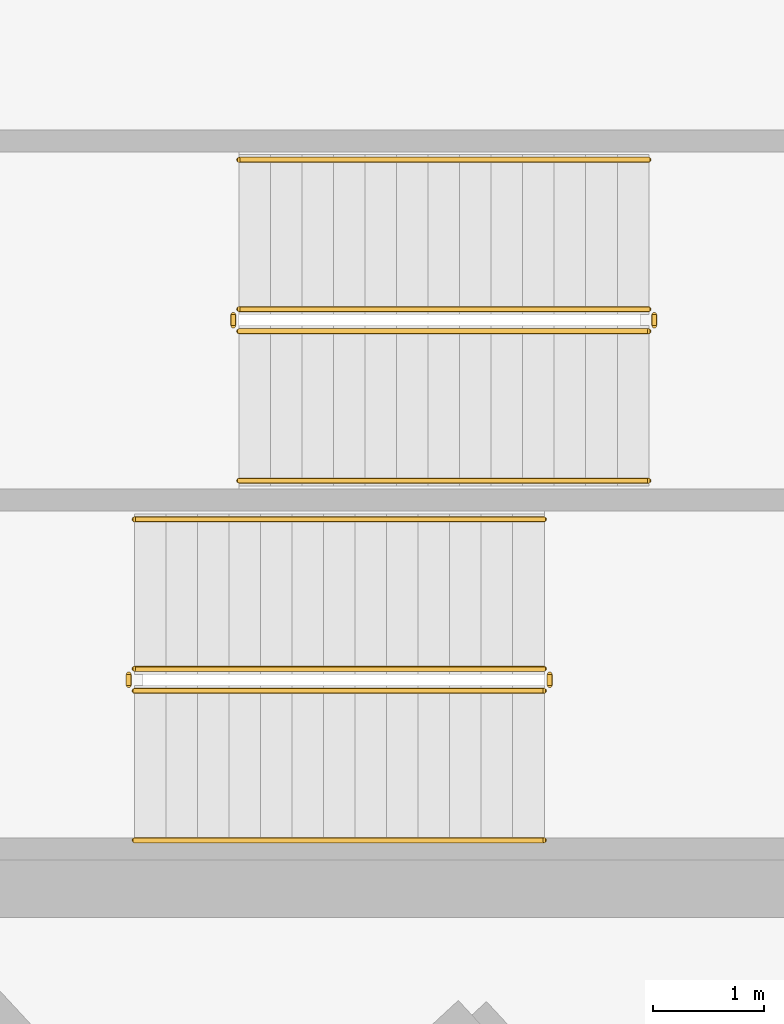
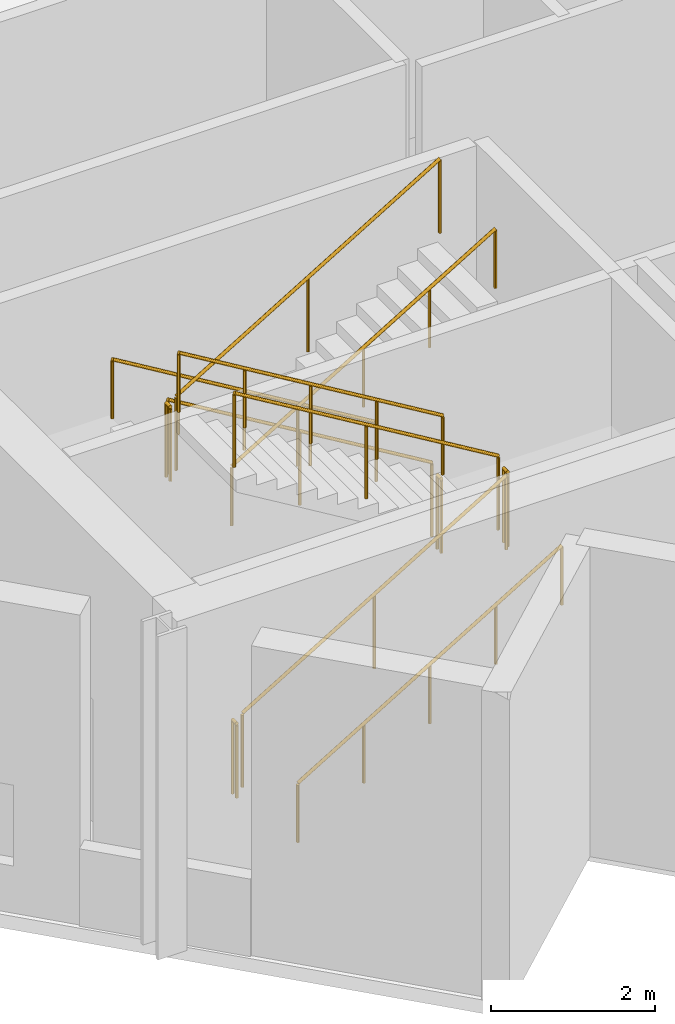
# One storey, part 11 of 12: 12 railings.
"""IFC4 building model written with IfcOpenShell, lengths in metres."""

from ifc_helpers import new_model, si_unit, direction, frame, origin, origin_2d, place, context, subcontext, project, spatial, circle, extrude, material, type_object, element, save


model = new_model("IFC4")

# Units and contexts
model_context = context("Model", 3, precision=1e-05, world=origin(), true_north=direction((0.0, 1.0)))
body_context = subcontext(model_context, "Body", "Model", "MODEL_VIEW")
ifc_project = project(units=[si_unit("LENGTHUNIT", "METRE"), si_unit("AREAUNIT", "SQUARE_METRE"), si_unit("VOLUMEUNIT", "CUBIC_METRE"), si_unit("PLANEANGLEUNIT", "RADIAN"), si_unit("MASSUNIT", "GRAM", prefix="KILO")], contexts=[model_context])

# Site, building, storey
site_placement = place(None, origin())
site = spatial("IfcSite", under=ifc_project, at=site_placement, CompositionType="ELEMENT")
building_placement = place(site_placement, origin())
building = spatial("IfcBuilding", under=site, at=building_placement, Name="Narakoshi Arena Tower", CompositionType="ELEMENT")
storey_placement = place(building_placement, frame((0.0, 0.0, 307.780029296875)))
storey = spatial("IfcBuildingStorey", under=building, at=storey_placement, Name="L83", CompositionType="ELEMENT", Elevation=307.780029296875)

# Railings
ifc_material_1 = material(Name="Clear low-iron laminated structural glass", Category="glass")
railing_type_1 = type_object("IfcRailingType", Name="RL-BAL-1100", PredefinedType="BALUSTRADE", material=ifc_material_1)
railing_1_placement = place(storey_placement, frame((74.39990234375, 36.949951171875, 0.17138671875)))
element("IfcRailing", 1, at=railing_1_placement, inside=storey, type_object=railing_type_1, Name="L83 ST1 stair guard 1", PredefinedType="BALUSTRADE", context=body_context, shape_type="SweptSolid", body=[
    extrude(circle(Radius=0.02392578125, at=origin_2d()), frame((0.0, 0.0, 1.09619140625), z_axis=(0.856934400257, 0.0, 0.515425487977), x_axis=(0.0, 1.0, 0.0)), (0.0, 0.0, 1.0), 4.32373046875),
    extrude(circle(Radius=0.02099609375, at=origin_2d()), origin(), (0.0, 0.0, 1.0), 1.072021484375),
    extrude(circle(Radius=0.02099609375, at=origin_2d()), frame((1.8525390625, 0.0, 1.1142578125)), (0.0, 0.0, 1.0), 1.072021484375),
    extrude(circle(Radius=0.02099609375, at=origin_2d()), frame((3.705078125, 0.0, 2.228515625)), (0.0, 0.0, 1.0), 1.072021484375),
])
railing_2_placement = place(storey_placement, frame((78.155029296875, 37.0, 2.39990234375)))
element("IfcRailing", 2, at=railing_2_placement, inside=storey, type_object=railing_type_1, Name="L83 ST1 stair guard 2", PredefinedType="BALUSTRADE", context=body_context, shape_type="SweptSolid", body=[
    extrude(circle(Radius=0.02392578125, at=origin_2d()), frame((0.0, 0.0, 1.09619140625), z_axis=(0.0, 1.0, 0.0), x_axis=(-1.0, 0.0, 0.0)), (0.0, 0.0, 1.0), 0.10009765625),
    extrude(circle(Radius=0.02099609375, at=origin_2d()), origin(), (0.0, 0.0, 1.0), 1.072021484375),
    extrude(circle(Radius=0.02099609375, at=origin_2d()), frame((0.0, 0.10009765625, 0.0)), (0.0, 0.0, 1.0), 1.072021484375),
])
railing_3_placement = place(storey_placement, frame((78.10498046875, 37.14990234375, 2.5712890625)))
element("IfcRailing", 3, at=railing_3_placement, inside=storey, type_object=railing_type_1, Name="L83 ST1 stair guard 3", PredefinedType="BALUSTRADE", context=body_context, shape_type="SweptSolid", body=[
    extrude(circle(Radius=0.02392578125, at=origin_2d()), frame((0.0, 0.0, 1.09619140625), z_axis=(-0.856909459561, 0.0, 0.515466951525), x_axis=(0.0, -1.0, 0.0)), (0.0, 0.0, 1.0), 4.32373046875),
    extrude(circle(Radius=0.02099609375, at=origin_2d()), origin(), (0.0, 0.0, 1.0), 1.072021484375),
    extrude(circle(Radius=0.02099609375, at=origin_2d()), frame((-1.8525390625, 0.0, 1.1142578125)), (0.0, 0.0, 1.0), 1.072021484375),
    extrude(circle(Radius=0.02099609375, at=origin_2d()), frame((-3.705078125, 0.0, 2.228759765625)), (0.0, 0.0, 1.0), 1.072021484375),
])
railing_4_placement = place(storey_placement, frame((74.35009765625, 37.0, 0.0)))
element("IfcRailing", 4, at=railing_4_placement, inside=storey, type_object=railing_type_1, Name="L83 ST1 stair guard 4", PredefinedType="BALUSTRADE", context=body_context, shape_type="SweptSolid", body=[
    extrude(circle(Radius=0.02392578125, at=origin_2d()), frame((0.0, 0.0, 1.09619140625), z_axis=(0.0, 1.0, 0.0), x_axis=(-1.0, 0.0, 0.0)), (0.0, 0.0, 1.0), 0.10009765625),
    extrude(circle(Radius=0.02099609375, at=origin_2d()), origin(), (0.0, 0.0, 1.0), 1.072021484375),
    extrude(circle(Radius=0.02099609375, at=origin_2d()), frame((0.0, 0.10009765625, 0.0)), (0.0, 0.0, 1.0), 1.072021484375),
])
railing_5_placement = place(storey_placement, frame((79.050048828125, 40.39990234375, 0.17138671875)))
element("IfcRailing", 5, at=railing_5_placement, inside=storey, type_object=railing_type_1, Name="L83 ST2 stair guard 1", PredefinedType="BALUSTRADE", context=body_context, shape_type="SweptSolid", body=[
    extrude(circle(Radius=0.02392578125, at=origin_2d()), frame((0.0, 0.0, 1.09619140625), z_axis=(-0.856934400257, 0.0, 0.515425487977), x_axis=(0.0, -1.0, 0.0)), (0.0, 0.0, 1.0), 4.32373046875),
    extrude(circle(Radius=0.02099609375, at=origin_2d()), origin(), (0.0, 0.0, 1.0), 1.072021484375),
    extrude(circle(Radius=0.02099609375, at=origin_2d()), frame((-1.8525390625, 0.0, 1.1142578125)), (0.0, 0.0, 1.0), 1.072021484375),
    extrude(circle(Radius=0.02099609375, at=origin_2d()), frame((-3.705078125, 0.0, 2.228515625)), (0.0, 0.0, 1.0), 1.072021484375),
])
railing_6_placement = place(storey_placement, frame((75.294921875, 40.35009765625, 2.39990234375)))
element("IfcRailing", 6, at=railing_6_placement, inside=storey, type_object=railing_type_1, Name="L83 ST2 stair guard 2", PredefinedType="BALUSTRADE", context=body_context, shape_type="SweptSolid", body=[
    extrude(circle(Radius=0.02392578125, at=origin_2d()), frame((0.0, 0.0, 1.09619140625), z_axis=(0.0, -1.0, 0.0), x_axis=(1.0, 0.0, 0.0)), (0.0, 0.0, 1.0), 0.10009765625),
    extrude(circle(Radius=0.02099609375, at=origin_2d()), origin(), (0.0, 0.0, 1.0), 1.072021484375),
    extrude(circle(Radius=0.02099609375, at=origin_2d()), frame((0.0, -0.10009765625, 0.0)), (0.0, 0.0, 1.0), 1.072021484375),
])
railing_7_placement = place(storey_placement, frame((75.344970703125, 40.199951171875, 2.5712890625)))
element("IfcRailing", 7, at=railing_7_placement, inside=storey, type_object=railing_type_1, Name="L83 ST2 stair guard 3", PredefinedType="BALUSTRADE", context=body_context, shape_type="SweptSolid", body=[
    extrude(circle(Radius=0.02392578125, at=origin_2d()), frame((0.0, 0.0, 1.09619140625), z_axis=(0.856909459561, 0.0, 0.515466951525), x_axis=(0.0, 1.0, 0.0)), (0.0, 0.0, 1.0), 4.32373046875),
    extrude(circle(Radius=0.02099609375, at=origin_2d()), origin(), (0.0, 0.0, 1.0), 1.072021484375),
    extrude(circle(Radius=0.02099609375, at=origin_2d()), frame((1.8525390625, 0.0, 1.1142578125)), (0.0, 0.0, 1.0), 1.072021484375),
    extrude(circle(Radius=0.02099609375, at=origin_2d()), frame((3.705078125, 0.0, 2.228759765625)), (0.0, 0.0, 1.0), 1.072021484375),
])
railing_8_placement = place(storey_placement, frame((79.10009765625, 40.35009765625, 0.0)))
element("IfcRailing", 8, at=railing_8_placement, inside=storey, type_object=railing_type_1, Name="L83 ST2 stair guard 4", PredefinedType="BALUSTRADE", context=body_context, shape_type="SweptSolid", body=[
    extrude(circle(Radius=0.02392578125, at=origin_2d()), frame((0.0, 0.0, 1.09619140625), z_axis=(0.0, -1.0, 0.0), x_axis=(1.0, 0.0, 0.0)), (0.0, 0.0, 1.0), 0.10009765625),
    extrude(circle(Radius=0.02099609375, at=origin_2d()), origin(), (0.0, 0.0, 1.0), 1.072021484375),
    extrude(circle(Radius=0.02099609375, at=origin_2d()), frame((0.0, -0.10009765625, 0.0)), (0.0, 0.0, 1.0), 1.072021484375),
])
ifc_material_2 = material(Name="Brushed bronze stainless steel", Category="steel")
railing_type_2 = type_object("IfcRailingType", Name="RL-HND-900", PredefinedType="HANDRAIL", material=ifc_material_2)
railing_9_placement = place(storey_placement, frame((74.39990234375, 35.60009765625, 0.17138671875)))
element("IfcRailing", 9, at=railing_9_placement, inside=storey, type_object=railing_type_2, Name="L83 ST1 stair handrail 1", PredefinedType="HANDRAIL", context=body_context, shape_type="SweptSolid", body=[
    extrude(circle(Radius=0.02392578125, at=origin_2d()), frame((0.0, 0.0, 0.8759765625), z_axis=(0.856934400257, 0.0, 0.515425487977), x_axis=(0.0, 1.0, 0.0)), (0.0, 0.0, 1.0), 4.32373046875),
    extrude(circle(Radius=0.02099609375, at=origin_2d()), origin(), (0.0, 0.0, 1.0), 0.851806640625),
    extrude(circle(Radius=0.02099609375, at=origin_2d()), frame((0.92626953125, 0.0, 0.55712890625)), (0.0, 0.0, 1.0), 0.851806640625),
    extrude(circle(Radius=0.02099609375, at=origin_2d()), frame((1.8525390625, 0.0, 1.1142578125)), (0.0, 0.0, 1.0), 0.851806640625),
    extrude(circle(Radius=0.02099609375, at=origin_2d()), frame((2.77880859375, 0.0, 1.67138671875)), (0.0, 0.0, 1.0), 0.851806640625),
    extrude(circle(Radius=0.02099609375, at=origin_2d()), frame((3.705078125, 0.0, 2.228515625)), (0.0, 0.0, 1.0), 0.851806640625),
])
railing_10_placement = place(storey_placement, frame((78.10498046875, 38.5, 2.5712890625)))
element("IfcRailing", 10, at=railing_10_placement, inside=storey, type_object=railing_type_2, Name="L83 ST1 stair handrail 2", PredefinedType="HANDRAIL", context=body_context, shape_type="SweptSolid", body=[
    extrude(circle(Radius=0.02392578125, at=origin_2d()), frame((0.0, 0.0, 0.8759765625), z_axis=(-0.856909459561, 0.0, 0.515466951525), x_axis=(0.0, -1.0, 0.0)), (0.0, 0.0, 1.0), 4.32373046875),
    extrude(circle(Radius=0.02099609375, at=origin_2d()), origin(), (0.0, 0.0, 1.0), 0.851806640625),
    extrude(circle(Radius=0.02099609375, at=origin_2d()), frame((-0.92626953125, 0.0, 0.55712890625)), (0.0, 0.0, 1.0), 0.851806640625),
    extrude(circle(Radius=0.02099609375, at=origin_2d()), frame((-1.8525390625, 0.0, 1.1142578125)), (0.0, 0.0, 1.0), 0.851806640625),
    extrude(circle(Radius=0.02099609375, at=origin_2d()), frame((-2.77880859375, 0.0, 1.671630859375)), (0.0, 0.0, 1.0), 0.851806640625),
    extrude(circle(Radius=0.02099609375, at=origin_2d()), frame((-3.705078125, 0.0, 2.228759765625)), (0.0, 0.0, 1.0), 0.851806640625),
])
railing_11_placement = place(storey_placement, frame((79.050048828125, 41.75, 0.17138671875)))
element("IfcRailing", 11, at=railing_11_placement, inside=storey, type_object=railing_type_2, Name="L83 ST2 stair handrail 1", PredefinedType="HANDRAIL", context=body_context, shape_type="SweptSolid", body=[
    extrude(circle(Radius=0.02392578125, at=origin_2d()), frame((0.0, 0.0, 0.8759765625), z_axis=(-0.856934400257, 0.0, 0.515425487977), x_axis=(0.0, -1.0, 0.0)), (0.0, 0.0, 1.0), 4.32373046875),
    extrude(circle(Radius=0.02099609375, at=origin_2d()), origin(), (0.0, 0.0, 1.0), 0.851806640625),
    extrude(circle(Radius=0.02099609375, at=origin_2d()), frame((-0.92626953125, 0.0, 0.55712890625)), (0.0, 0.0, 1.0), 0.851806640625),
    extrude(circle(Radius=0.02099609375, at=origin_2d()), frame((-1.8525390625, 0.0, 1.1142578125)), (0.0, 0.0, 1.0), 0.851806640625),
    extrude(circle(Radius=0.02099609375, at=origin_2d()), frame((-2.77880859375, 0.0, 1.67138671875)), (0.0, 0.0, 1.0), 0.851806640625),
    extrude(circle(Radius=0.02099609375, at=origin_2d()), frame((-3.705078125, 0.0, 2.228515625)), (0.0, 0.0, 1.0), 0.851806640625),
])
railing_12_placement = place(storey_placement, frame((75.344970703125, 38.85009765625, 2.5712890625)))
element("IfcRailing", 12, at=railing_12_placement, inside=storey, type_object=railing_type_2, Name="L83 ST2 stair handrail 2", PredefinedType="HANDRAIL", context=body_context, shape_type="SweptSolid", body=[
    extrude(circle(Radius=0.02392578125, at=origin_2d()), frame((0.0, 0.0, 0.8759765625), z_axis=(0.856909459561, 0.0, 0.515466951525), x_axis=(0.0, 1.0, 0.0)), (0.0, 0.0, 1.0), 4.32373046875),
    extrude(circle(Radius=0.02099609375, at=origin_2d()), origin(), (0.0, 0.0, 1.0), 0.851806640625),
    extrude(circle(Radius=0.02099609375, at=origin_2d()), frame((0.92626953125, 0.0, 0.55712890625)), (0.0, 0.0, 1.0), 0.851806640625),
    extrude(circle(Radius=0.02099609375, at=origin_2d()), frame((1.8525390625, 0.0, 1.1142578125)), (0.0, 0.0, 1.0), 0.851806640625),
    extrude(circle(Radius=0.02099609375, at=origin_2d()), frame((2.77880859375, 0.0, 1.671630859375)), (0.0, 0.0, 1.0), 0.851806640625),
    extrude(circle(Radius=0.02099609375, at=origin_2d()), frame((3.705078125, 0.0, 2.228759765625)), (0.0, 0.0, 1.0), 0.851806640625),
])

save(model, "model.ifc")
